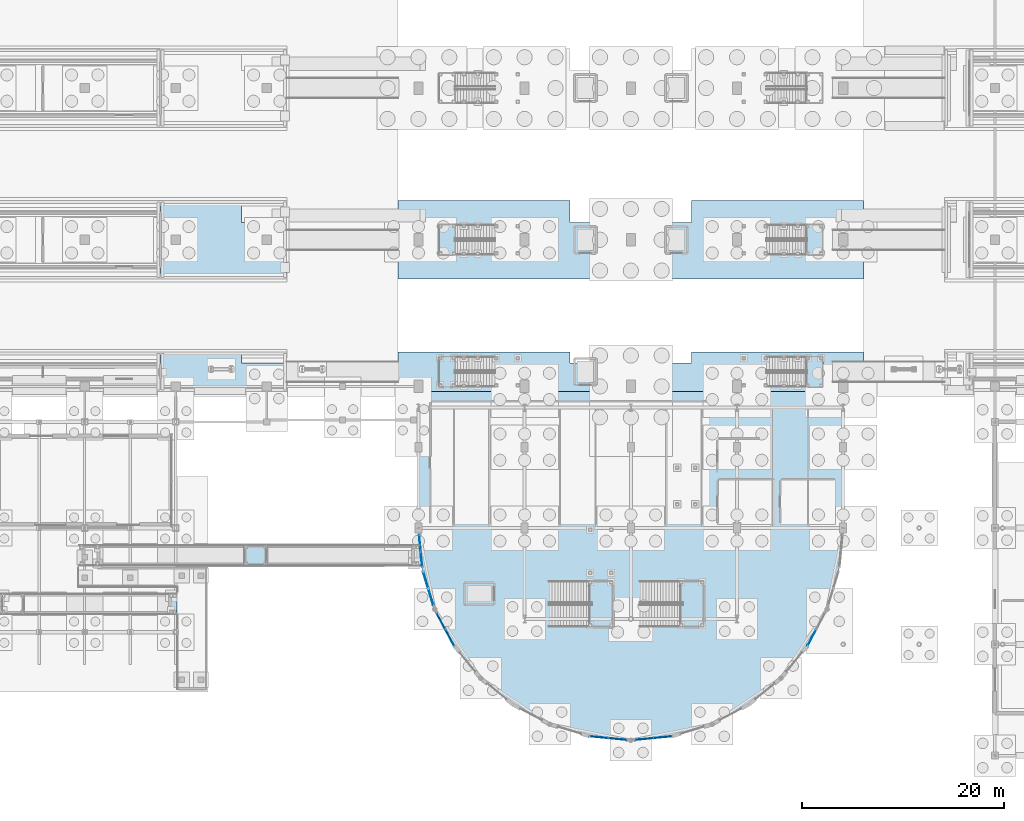
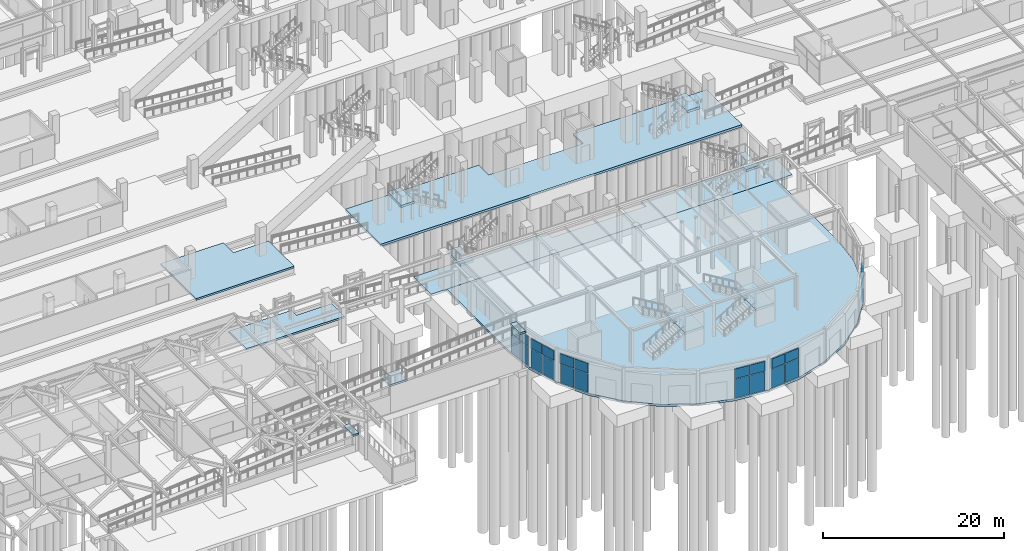
# One storey, part 92 of 160: 22 plates, 14 slabs, 14 elements without a shape of their own.
"""IFC4 building model written with IfcOpenShell, lengths in metres."""

import ifcopenshell
import ifcopenshell.guid

model = None  # the IFC model being written
_history = None  # IfcOwnerHistory: only IFC2X3 demands one
_inside = {}  # id of a spatial element -> (the spatial element, [elements in it])
_under = {}  # id of a project, library or spatial element -> (it, [spatial elements below it])
_declared = {}  # id of a project -> (the project, [libraries it declares])
_typed = {}  # id of a type object -> (the type object, [elements of that type])
_made_of = {}  # id of a material, layer set ... -> (it, [elements and type objects made of it])


def new_model(schema):
    """Start an empty IFC model of exactly this schema.

    Asked for "IFC4X3", IfcOpenShell would pick the latest addendum, in which some entities
    have other attributes; the version numbers below select the first issue.
    IFC2X3 requires an IfcOwnerHistory on every rooted entity: one is made here for all.
    """
    global model, _history
    if schema == "IFC4X3":
        model = ifcopenshell.file(schema_version=(4, 3, 0, 0))
    else:
        model = ifcopenshell.file(schema=schema)
    _inside.clear()
    _under.clear()
    _declared.clear()
    _typed.clear()
    _made_of.clear()
    _history = None
    if model.schema == "IFC2X3":
        org = make("IfcOrganization", Name="unknown")
        user = make(
            "IfcPersonAndOrganization",
            ThePerson=make("IfcPerson", FamilyName="unknown"),
            TheOrganization=org,
        )
        app = make(
            "IfcApplication",
            ApplicationDeveloper=org,
            Version="unknown",
            ApplicationFullName="unknown",
            ApplicationIdentifier="unknown",
        )
        _history = make(
            "IfcOwnerHistory",
            OwningUser=user,
            OwningApplication=app,
            ChangeAction="ADDED",
            CreationDate=0,
        )
    return model


def make(cls, **values):
    """One entity of the class cls with the attributes given. An attribute that is None is left unset."""
    return model.create_entity(
        cls, **{name: value for name, value in values.items() if value is not None}
    )


def rooted(cls, **values):
    """An entity with a GlobalId (a new one), such as an element, a storey or a relation."""
    return make(cls, GlobalId=ifcopenshell.guid.new(), OwnerHistory=_history, **values)


def si_unit(unit_type, name, prefix=None):
    """IfcSIUnit, for example si_unit("LENGTHUNIT", "METRE", prefix="MILLI")."""
    return make("IfcSIUnit", UnitType=unit_type, Prefix=prefix, Name=name)


def assignment(units):
    """IfcUnitAssignment: the units of a project."""
    return None if units is None else make("IfcUnitAssignment", Units=units)


def point(xyz):
    """IfcCartesianPoint."""
    return None if xyz is None else make("IfcCartesianPoint", Coordinates=xyz)


def direction(xyz):
    """IfcDirection."""
    return None if xyz is None else make("IfcDirection", DirectionRatios=xyz)


def frame(location, z_axis=None, x_axis=None):
    """IfcAxis2Placement3D, a coordinate frame: its origin and axes. An axis left out is left unset."""
    return make(
        "IfcAxis2Placement3D",
        Location=point(location),
        Axis=direction(z_axis),
        RefDirection=direction(x_axis),
    )


def frame_2d(location, x_axis=None):
    """IfcAxis2Placement2D, a coordinate frame in the plane: its origin and x axis."""
    return make(
        "IfcAxis2Placement2D", Location=point(location), RefDirection=direction(x_axis)
    )


def origin():
    """The frame at (0, 0, 0) with its axes left unset."""
    return frame((0.0, 0.0, 0.0))


def origin_2d():
    """The frame at (0, 0) in the plane with its x axis left unset."""
    return frame_2d((0.0, 0.0))


def place(relative_to, where):
    """IfcLocalPlacement: puts the frame where relative to a parent placement (None: the world)."""
    return make(
        "IfcLocalPlacement", PlacementRelTo=relative_to, RelativePlacement=where
    )


def context(
    kind, dimensions, precision=None, world=None, true_north=None, identifier=None
):
    """IfcGeometricRepresentationContext, for example the 3D "Model" context."""
    return make(
        "IfcGeometricRepresentationContext",
        ContextIdentifier=identifier,
        ContextType=kind,
        CoordinateSpaceDimension=dimensions,
        Precision=precision,
        WorldCoordinateSystem=world,
        TrueNorth=true_north,
    )


def subcontext(parent, identifier, kind, view, scale=None):
    """IfcGeometricRepresentationSubContext, for example "Body" below "Model"."""
    return make(
        "IfcGeometricRepresentationSubContext",
        ContextIdentifier=identifier,
        ContextType=kind,
        ParentContext=parent,
        TargetScale=scale,
        TargetView=view,
    )


def project(units=None, contexts=None):
    """IfcProject with its units and contexts."""
    return rooted(
        "IfcProject",
        Name="project",
        RepresentationContexts=contexts,
        UnitsInContext=assignment(units),
    )


def spatial(cls, under=None, at=None, **own):
    """A site, building, storey or space (cls), placed at a placement, below another one or the project."""
    s = rooted(cls, ObjectPlacement=at, **own)
    if under is not None:
        _under.setdefault(under.id(), (under, []))[1].append(s)
    return s


def polyline(points):
    """IfcPolyline through the points."""
    return make("IfcPolyline", Points=[point(p) for p in points])


def profile(cls, at=None, kind="AREA", **sizes):
    """A parametric profile (cls). Its sizes go by their IFC names, for example OverallWidth=200.0."""
    return make(cls, ProfileType=kind, Position=at, **sizes)


def rectangle(**sizes):
    """IfcRectangleProfileDef."""
    return profile("IfcRectangleProfileDef", **sizes)


def outline(outer, holes=None, kind="AREA"):
    """IfcArbitraryClosedProfileDef: a profile drawn as a closed curve; with holes, ...WithVoids."""
    if holes is None:
        return make("IfcArbitraryClosedProfileDef", ProfileType=kind, OuterCurve=outer)
    return make(
        "IfcArbitraryProfileDefWithVoids",
        ProfileType=kind,
        OuterCurve=outer,
        InnerCurves=holes,
    )


def extrude(swept, where, along, depth):
    """IfcExtrudedAreaSolid: the profile swept, set in the frame where, extruded along a direction by depth."""
    return make(
        "IfcExtrudedAreaSolid",
        SweptArea=swept,
        Position=where,
        ExtrudedDirection=direction(along),
        Depth=depth,
    )


def shape(context_of_items, identifier, shape_type, items):
    """IfcShapeRepresentation: the items that make up one representation, for example the "Body"."""
    return make(
        "IfcShapeRepresentation",
        ContextOfItems=context_of_items,
        RepresentationIdentifier=identifier,
        RepresentationType=shape_type,
        Items=items,
    )


def material(Name=None, Category=None):
    """IfcMaterial."""
    return make("IfcMaterial", Name=Name, Category=Category)


def layer(
    of_material, thickness, ventilated=None, Name=None, Category=None, Priority=None
):
    """IfcMaterialLayer: one layer of a wall or slab, of a material (None: an air gap)."""
    return make(
        "IfcMaterialLayer",
        Material=of_material,
        LayerThickness=thickness,
        IsVentilated=ventilated,
        Name=Name,
        Category=Category,
        Priority=Priority,
    )


def layer_set(layers, Name=None):
    """IfcMaterialLayerSet."""
    return make("IfcMaterialLayerSet", MaterialLayers=layers, LayerSetName=Name)


def made_of(thing, what):
    """Note that an element or type object is made of a material, layer set ...; save() writes the relation."""
    if what is not None:
        _made_of.setdefault(what.id(), (what, []))[1].append(thing)
    return thing


def type_object(cls, material=None, **own):
    """A type object (cls), such as IfcWallType, which elements share."""
    return made_of(rooted(cls, **own), material)


def element(
    cls,
    number,
    at=None,
    inside=None,
    cuts=None,
    type_object=None,
    material=None,
    context=None,
    identifier="Body",
    shape_type=None,
    held_by="IfcProductDefinitionShape",
    body=None,
    shapes=None,
    **own,
):
    """One element of the class cls, such as IfcWall. Its Tag is "e" and its number.

    at: its placement. inside: the storey or other place that contains it. cuts: it is an
    opening in that element (IfcRelVoidsElement). A single representation is given by context,
    identifier, shape_type and body (its items); several are given by shapes. held_by: the class
    of the entity that holds the representations. save() writes the other relations.
    """
    e = rooted(cls, Tag="e%d" % number, ObjectPlacement=at, **own)
    if body is not None:
        shapes = [shape(context, identifier, shape_type, body)]
    if shapes is not None:
        e.Representation = make(held_by, Representations=shapes)
    if inside is not None:
        _inside.setdefault(inside.id(), (inside, []))[1].append(e)
    if cuts is not None:
        rooted(
            "IfcRelVoidsElement", RelatingBuildingElement=cuts, RelatedOpeningElement=e
        )
    if type_object is not None:
        _typed.setdefault(type_object.id(), (type_object, []))[1].append(e)
    return made_of(e, material)


def aggregate(whole, parts):
    """IfcRelAggregates: a whole, such as a stair, and the parts it consists of."""
    return rooted("IfcRelAggregates", RelatingObject=whole, RelatedObjects=parts)


def save(model, path):
    """Write the relations noted so far, then the file.

    IfcRelAggregates (storeys below a building ...), IfcRelContainedInSpatialStructure (elements
    in a storey), IfcRelDefinesByType, IfcRelAssociatesMaterial and IfcRelDeclares: one each for
    every whole, place, type object, material and project.
    """
    for whole, parts in _under.values():
        aggregate(whole, parts)
    for where, things in _inside.values():
        rooted(
            "IfcRelContainedInSpatialStructure",
            RelatedElements=things,
            RelatingStructure=where,
        )
    for kind, things in _typed.values():
        rooted("IfcRelDefinesByType", RelatedObjects=things, RelatingType=kind)
    for what, things in _made_of.values():
        rooted("IfcRelAssociatesMaterial", RelatedObjects=things, RelatingMaterial=what)
    for by, libraries in _declared.values():
        rooted("IfcRelDeclares", RelatingContext=by, RelatedDefinitions=libraries)
    model.write(path)


model = new_model("IFC4")

# Units and contexts
model_context = context("Model", 3, precision=1e-05, world=origin(), true_north=direction((0.0, 1.0)))
body_context = subcontext(model_context, "Body", "Model", "MODEL_VIEW")
ifc_project = project(units=[si_unit("LENGTHUNIT", "METRE"), si_unit("AREAUNIT", "SQUARE_METRE"), si_unit("VOLUMEUNIT", "CUBIC_METRE"), si_unit("PLANEANGLEUNIT", "RADIAN"), si_unit("MASSUNIT", "GRAM", prefix="KILO")], contexts=[model_context])

# Site, building, storey
site_placement = place(None, origin())
site = spatial("IfcSite", under=ifc_project, at=site_placement, CompositionType="ELEMENT")
building_placement = place(site_placement, origin())
building = spatial("IfcBuilding", under=site, at=building_placement, Name="Marlcrest Central Station", CompositionType="ELEMENT")
storey_placement = place(building_placement, origin())
storey = spatial("IfcBuildingStorey", under=building, at=storey_placement, Name="L00", CompositionType="ELEMENT", Elevation=0.0)

# Slabs
ifc_material_1 = material(Name="Concrete C35/45", Category="concrete")
ifc_layer_1 = layer(ifc_material_1, 0.300048828125, Name="BS-03")
ifc_layer_set_1 = layer_set([ifc_layer_1], Name="Concrete C35/45")
slab_type_1 = type_object("IfcSlabType", Name="BS-03", PredefinedType="BASESLAB", material=ifc_layer_set_1)
slab_1_placement = place(storey_placement, frame((0.0, 0.0, -0.300048828125)))
element("IfcSlab", 1, at=slab_1_placement, inside=storey, type_object=slab_type_1, Name="slab-L00-0029", PredefinedType="BASESLAB", context=body_context, shape_type="SweptSolid", body=[
    extrude(outline(polyline([(85.0, 36.0), (85.0, 39.89990234375), (102.0, 39.89990234375), (102.0, 38.80810546875), (114.0, 38.80810546875), (114.0, 39.89990234375), (131.0, 39.89990234375), (131.0, 36.0), (85.0, 36.0)])), origin(), (0.0, 0.0, 1.0), 0.300048828125),
])
slab_2_placement = place(storey_placement, frame((0.0, 0.0, -0.300048828125)))
element("IfcSlab", 2, at=slab_2_placement, inside=storey, type_object=slab_type_1, Name="slab-L00-0040", PredefinedType="BASESLAB", context=body_context, shape_type="SweptSolid", body=[
    extrude(outline(polyline([(85.0, 47.10009765625), (85.0, 54.89990234375), (102.0, 54.89990234375), (102.0, 52.716064453125), (114.0, 52.716064453125), (114.0, 54.89990234375), (131.0, 54.89990234375), (131.0, 47.10009765625), (85.0, 47.10009765625)])), origin(), (0.0, 0.0, 1.0), 0.300048828125),
])
slab_3_placement = place(storey_placement, frame((0.0, 0.0, -0.300048828125)))
element("IfcSlab", 3, at=slab_3_placement, inside=storey, type_object=slab_type_1, Name="slab-L00-0090", PredefinedType="BASESLAB", context=body_context, shape_type="SweptSolid", body=[
    extrude(outline(polyline([(129.0, 22.5), (128.595947265625, 18.403076171875), (127.40087890625, 14.464111328125), (125.4609375, 10.8330078125), (122.84912109375, 7.65087890625), (119.6669921875, 5.0390625), (116.035888671875, 3.09912109375), (112.096923828125, 1.904052734375), (108.0, 1.5), (103.903076171875, 1.904052734375), (99.964111328125, 3.09912109375), (96.3330078125, 5.0390625), (93.15087890625, 7.65087890625), (90.5390625, 10.8330078125), (88.59912109375, 14.464111328125), (87.404052734375, 18.403076171875), (87.0, 22.5), (87.0, 36.0), (129.0, 36.0), (129.0, 22.5)])), origin(), (0.0, 0.0, 1.0), 0.300048828125),
])

# Curtain wall, plates
ifc_material_2 = material(Name="Anodised aluminium and hurricane laminated glass", Category="aluminium")
ifc_layer_2 = layer(ifc_material_2, 0.219970703125, Name="CW-U1")
ifc_layer_set_2 = layer_set([ifc_layer_2], Name="Anodised aluminium and hurricane laminated glass")
curtain_wall_type = type_object("IfcCurtainWallType", Name="CW-U1", PredefinedType="USERDEFINED", material=ifc_layer_set_2)
curtain_wall_1_placement = place(storey_placement, origin())
curtain_wall_1 = element("IfcCurtainWall", 4, at=curtain_wall_1_placement, inside=storey, type_object=curtain_wall_type, Name="cw-L00-0001", ObjectType="UNITISED_CURTAIN_WALL", PredefinedType="USERDEFINED")
ifc_material_3 = material(Name="Hurricane laminated solar-control glass", Category="glass")
ifc_layer_3 = layer(ifc_material_3, 0.031982421875, Name="CP-01")
ifc_layer_set_3 = layer_set([ifc_layer_3], Name="Hurricane laminated solar-control glass")
plate_type_1 = type_object("IfcPlateType", Name="CP-01", PredefinedType="CURTAIN_PANEL", material=ifc_layer_set_3)
plate_1_placement = place(storey_placement, frame((87.304443359375, 19.41259765625, 0.080078125), z_axis=(0.0, 0.0, 1.0), x_axis=(-0.098138724349, 0.995172744192, 0.0)))
plate_1 = element("IfcPlate", 5, at=plate_1_placement, type_object=plate_type_1, Name="cw-L00-0001-cp-lo-0", PredefinedType="CURTAIN_PANEL", context=body_context, shape_type="SweptSolid", body=[
    extrude(rectangle(XDim=1.54150390625, YDim=0.031982421875, at=origin_2d()), origin(), (0.0, 0.0, 1.0), 2.544921875),
])
plate_2_placement = place(storey_placement, frame((87.145751953125, 21.0224609375, 0.080078125), z_axis=(0.0, 0.0, 1.0), x_axis=(-0.098138724349, 0.995172744192, 0.0)))
plate_2 = element("IfcPlate", 6, at=plate_2_placement, type_object=plate_type_1, Name="cw-L00-0001-cp-lo-1", PredefinedType="CURTAIN_PANEL", context=body_context, shape_type="SweptSolid", body=[
    extrude(rectangle(XDim=1.54150390625, YDim=0.031982421875, at=origin_2d()), origin(), (0.0, 0.0, 1.0), 2.544921875),
])

curtain_wall_2_placement = place(storey_placement, origin())
curtain_wall_2 = element("IfcCurtainWall", 7, at=curtain_wall_2_placement, inside=storey, type_object=curtain_wall_type, Name="cw-L00-0002", ObjectType="UNITISED_CURTAIN_WALL", PredefinedType="USERDEFINED")
plate_3_placement = place(storey_placement, frame((88.227294921875, 15.689453125, 0.080078125), z_axis=(0.0, 0.0, 1.0), x_axis=(-0.290318080597, 0.956930202302, 0.0)))
plate_3 = element("IfcPlate", 8, at=plate_3_placement, type_object=plate_type_1, Name="cw-L00-0002-cp-lo-0", PredefinedType="CURTAIN_PANEL", context=body_context, shape_type="SweptSolid", body=[
    extrude(rectangle(XDim=1.67724609375, YDim=0.031982421875, at=origin_2d()), origin(), (0.0, 0.0, 1.0), 2.544921875),
])
plate_4_placement = place(storey_placement, frame((87.71826171875, 17.3671875, 0.080078125), z_axis=(0.0, 0.0, 1.0), x_axis=(-0.290318080597, 0.956930202302, 0.0)))
plate_4 = element("IfcPlate", 9, at=plate_4_placement, type_object=plate_type_1, Name="cw-L00-0002-cp-lo-1", PredefinedType="CURTAIN_PANEL", context=body_context, shape_type="SweptSolid", body=[
    extrude(rectangle(XDim=1.67724609375, YDim=0.031982421875, at=origin_2d()), origin(), (0.0, 0.0, 1.0), 2.544921875),
])

curtain_wall_3_placement = place(storey_placement, origin())
curtain_wall_3 = element("IfcCurtainWall", 10, at=curtain_wall_3_placement, inside=storey, type_object=curtain_wall_type, Name="cw-L00-0003", ObjectType="UNITISED_CURTAIN_WALL", PredefinedType="USERDEFINED")
plate_5_placement = place(storey_placement, frame((90.09423828125, 11.665283203125, 0.080078125), z_axis=(0.0, 0.0, 1.0), x_axis=(-0.471242805349, 0.882003525167, 0.0)))
plate_5 = element("IfcPlate", 11, at=plate_5_placement, type_object=plate_type_1, Name="cw-L00-0003-cp-lo-0", PredefinedType="CURTAIN_PANEL", context=body_context, shape_type="SweptSolid", body=[
    extrude(rectangle(XDim=1.77001953125, YDim=0.031982421875, at=origin_2d()), origin(), (0.0, 0.0, 1.0), 2.544921875),
])
plate_6_placement = place(storey_placement, frame((89.224365234375, 13.29345703125, 0.080078125), z_axis=(0.0, 0.0, 1.0), x_axis=(-0.471242805349, 0.882003525167, 0.0)))
plate_6 = element("IfcPlate", 12, at=plate_6_placement, type_object=plate_type_1, Name="cw-L00-0003-cp-lo-1", PredefinedType="CURTAIN_PANEL", context=body_context, shape_type="SweptSolid", body=[
    extrude(rectangle(XDim=1.77001953125, YDim=0.031982421875, at=origin_2d()), origin(), (0.0, 0.0, 1.0), 2.544921875),
])

curtain_wall_4_placement = place(storey_placement, origin())
curtain_wall_4 = element("IfcCurtainWall", 13, at=curtain_wall_4_placement, inside=storey, type_object=curtain_wall_type, Name="cw-L00-0004", ObjectType="UNITISED_CURTAIN_WALL", PredefinedType="USERDEFINED")
plate_7_placement = place(storey_placement, frame((106.67919921875, 1.630126953125, 0.080078125), z_axis=(0.0, 0.0, 1.0), x_axis=(-0.995172744192, 0.098138724349, 0.0)))
plate_7 = element("IfcPlate", 14, at=plate_7_placement, type_object=plate_type_1, Name="cw-L00-0004-cp-lo-0", PredefinedType="CURTAIN_PANEL", context=body_context, shape_type="SweptSolid", body=[
    extrude(rectangle(XDim=1.77001953125, YDim=0.031982421875, at=origin_2d()), origin(), (0.0, 0.0, 1.0), 2.544921875),
])
plate_8_placement = place(storey_placement, frame((104.842041015625, 1.811279296875, 0.080078125), z_axis=(0.0, 0.0, 1.0), x_axis=(-0.995172744192, 0.098138724349, 0.0)))
plate_8 = element("IfcPlate", 15, at=plate_8_placement, type_object=plate_type_1, Name="cw-L00-0004-cp-lo-1", PredefinedType="CURTAIN_PANEL", context=body_context, shape_type="SweptSolid", body=[
    extrude(rectangle(XDim=1.77001953125, YDim=0.031982421875, at=origin_2d()), origin(), (0.0, 0.0, 1.0), 2.544921875),
])

curtain_wall_5_placement = place(storey_placement, origin())
curtain_wall_5 = element("IfcCurtainWall", 16, at=curtain_wall_5_placement, inside=storey, type_object=curtain_wall_type, Name="cw-L00-0005", ObjectType="UNITISED_CURTAIN_WALL", PredefinedType="USERDEFINED")
plate_9_placement = place(storey_placement, frame((111.157958984375, 1.811279296875, 0.080078125), z_axis=(0.0, 0.0, 1.0), x_axis=(-0.995172744192, -0.098138724349, 0.0)))
plate_9 = element("IfcPlate", 17, at=plate_9_placement, type_object=plate_type_1, Name="cw-L00-0005-cp-lo-0", PredefinedType="CURTAIN_PANEL", context=body_context, shape_type="SweptSolid", body=[
    extrude(rectangle(XDim=1.77001953125, YDim=0.031982421875, at=origin_2d()), origin(), (0.0, 0.0, 1.0), 2.544921875),
])
plate_10_placement = place(storey_placement, frame((109.32080078125, 1.630126953125, 0.080078125), z_axis=(0.0, 0.0, 1.0), x_axis=(-0.995172744192, -0.098138724349, 0.0)))
plate_10 = element("IfcPlate", 18, at=plate_10_placement, type_object=plate_type_1, Name="cw-L00-0005-cp-lo-1", PredefinedType="CURTAIN_PANEL", context=body_context, shape_type="SweptSolid", body=[
    extrude(rectangle(XDim=1.77001953125, YDim=0.031982421875, at=origin_2d()), origin(), (0.0, 0.0, 1.0), 2.544921875),
])

curtain_wall_6_placement = place(storey_placement, origin())
curtain_wall_6 = element("IfcCurtainWall", 19, at=curtain_wall_6_placement, inside=storey, type_object=curtain_wall_type, Name="cw-L00-0006", ObjectType="UNITISED_CURTAIN_WALL", PredefinedType="USERDEFINED")
plate_11_placement = place(storey_placement, frame((125.90576171875, 11.665283203125, 0.080078125), z_axis=(0.0, 0.0, 1.0), x_axis=(-0.471242805349, -0.882003525167, 0.0)))
plate_11 = element("IfcPlate", 20, at=plate_11_placement, type_object=plate_type_1, Name="cw-L00-0006-cp-lo-1", PredefinedType="CURTAIN_PANEL", context=body_context, shape_type="SweptSolid", body=[
    extrude(rectangle(XDim=1.77001953125, YDim=0.031982421875, at=origin_2d()), origin(), (0.0, 0.0, 1.0), 2.544921875),
])
ifc_material_4 = material(Name="Insulated bronze-anodised aluminium spandrel panel", Category="aluminium")
ifc_layer_4 = layer(ifc_material_4, 0.06005859375, Name="CP-04")
ifc_layer_set_4 = layer_set([ifc_layer_4], Name="Insulated bronze-anodised aluminium spandrel panel")
plate_type_2 = type_object("IfcPlateType", Name="CP-04", PredefinedType="CURTAIN_PANEL", material=ifc_layer_set_4)
plate_12_placement = place(storey_placement, frame((125.90576171875, 11.665283203125, 2.705078125), z_axis=(0.0, 0.0, 1.0), x_axis=(-0.471242805349, -0.882003525167, 0.0)))
plate_12 = element("IfcPlate", 21, at=plate_12_placement, type_object=plate_type_2, Name="cw-L00-0006-cp-hi-1", PredefinedType="CURTAIN_PANEL", context=body_context, shape_type="SweptSolid", body=[
    extrude(rectangle(XDim=1.77001953125, YDim=0.06005859375, at=origin_2d()), origin(), (0.0, 0.0, 1.0), 1.31494140625),
])
aggregate(curtain_wall_6, [plate_11, plate_12])

# Plate
ifc_layer_5 = layer(ifc_material_4, 0.050048828125, Name="CP-05")
ifc_layer_set_5 = layer_set([ifc_layer_5], Name="Insulated bronze-anodised aluminium spandrel panel")
plate_type_3 = type_object("IfcPlateType", Name="CP-05", PredefinedType="CURTAIN_PANEL", material=ifc_layer_set_5)
plate_13_placement = place(storey_placement, frame((87.304443359375, 19.41259765625, 2.705078125), z_axis=(0.0, 0.0, 1.0), x_axis=(-0.098138724349, 0.995172744192, 0.0)))
plate_13 = element("IfcPlate", 22, at=plate_13_placement, type_object=plate_type_3, Name="cw-L00-0001-cp-hi-0", PredefinedType="CURTAIN_PANEL", context=body_context, shape_type="SweptSolid", body=[
    extrude(rectangle(XDim=1.54150390625, YDim=0.050048828125, at=origin_2d()), origin(), (0.0, 0.0, 1.0), 1.31494140625),
])

plate_14_placement = place(storey_placement, frame((87.145751953125, 21.0224609375, 2.705078125), z_axis=(0.0, 0.0, 1.0), x_axis=(-0.098138724349, 0.995172744192, 0.0)))
plate_14 = element("IfcPlate", 23, at=plate_14_placement, type_object=plate_type_3, Name="cw-L00-0001-cp-hi-1", PredefinedType="CURTAIN_PANEL", context=body_context, shape_type="SweptSolid", body=[
    extrude(rectangle(XDim=1.54150390625, YDim=0.050048828125, at=origin_2d()), origin(), (0.0, 0.0, 1.0), 1.31494140625),
])

aggregate(curtain_wall_1, [plate_1, plate_13, plate_2, plate_14])

ifc_material_5 = material(Name="Insulated acoustic spandrel panel")
ifc_layer_6 = layer(ifc_material_5, 0.074951171875, Name="CP-06")
ifc_layer_set_6 = layer_set([ifc_layer_6], Name="Insulated acoustic spandrel panel")
plate_type_4 = type_object("IfcPlateType", Name="CP-06", PredefinedType="CURTAIN_PANEL", material=ifc_layer_set_6)
plate_15_placement = place(storey_placement, frame((88.227294921875, 15.689453125, 2.705078125), z_axis=(0.0, 0.0, 1.0), x_axis=(-0.290318080597, 0.956930202302, 0.0)))
plate_15 = element("IfcPlate", 24, at=plate_15_placement, type_object=plate_type_4, Name="cw-L00-0002-cp-hi-0", PredefinedType="CURTAIN_PANEL", context=body_context, shape_type="SweptSolid", body=[
    extrude(rectangle(XDim=1.67724609375, YDim=0.074951171875, at=origin_2d()), origin(), (0.0, 0.0, 1.0), 1.31494140625),
])

plate_16_placement = place(storey_placement, frame((87.71826171875, 17.3671875, 2.705078125), z_axis=(0.0, 0.0, 1.0), x_axis=(-0.290318080597, 0.956930202302, 0.0)))
plate_16 = element("IfcPlate", 25, at=plate_16_placement, type_object=plate_type_4, Name="cw-L00-0002-cp-hi-1", PredefinedType="CURTAIN_PANEL", context=body_context, shape_type="SweptSolid", body=[
    extrude(rectangle(XDim=1.67724609375, YDim=0.074951171875, at=origin_2d()), origin(), (0.0, 0.0, 1.0), 1.31494140625),
])

aggregate(curtain_wall_2, [plate_3, plate_15, plate_4, plate_16])

ifc_material_6 = material(Name="Insulated hurricane-rated spandrel panel")
ifc_layer_7 = layer(ifc_material_6, 0.090087890625, Name="CP-07")
ifc_layer_set_7 = layer_set([ifc_layer_7], Name="Insulated hurricane-rated spandrel panel")
plate_type_5 = type_object("IfcPlateType", Name="CP-07", PredefinedType="CURTAIN_PANEL", material=ifc_layer_set_7)
plate_17_placement = place(storey_placement, frame((90.09423828125, 11.665283203125, 2.705078125), z_axis=(0.0, 0.0, 1.0), x_axis=(-0.471242805349, 0.882003525167, 0.0)))
plate_17 = element("IfcPlate", 26, at=plate_17_placement, type_object=plate_type_5, Name="cw-L00-0003-cp-hi-0", PredefinedType="CURTAIN_PANEL", context=body_context, shape_type="SweptSolid", body=[
    extrude(rectangle(XDim=1.77001953125, YDim=0.090087890625, at=origin_2d()), origin(), (0.0, 0.0, 1.0), 1.31494140625),
])

plate_18_placement = place(storey_placement, frame((89.224365234375, 13.29345703125, 2.705078125), z_axis=(0.0, 0.0, 1.0), x_axis=(-0.471242805349, 0.882003525167, 0.0)))
plate_18 = element("IfcPlate", 27, at=plate_18_placement, type_object=plate_type_5, Name="cw-L00-0003-cp-hi-1", PredefinedType="CURTAIN_PANEL", context=body_context, shape_type="SweptSolid", body=[
    extrude(rectangle(XDim=1.77001953125, YDim=0.090087890625, at=origin_2d()), origin(), (0.0, 0.0, 1.0), 1.31494140625),
])

aggregate(curtain_wall_3, [plate_5, plate_17, plate_6, plate_18])

ifc_material_7 = material(Name="Insulated shadow-box spandrel panel")
ifc_layer_8 = layer(ifc_material_7, 0.10498046875, Name="CP-08")
ifc_layer_set_8 = layer_set([ifc_layer_8], Name="Insulated shadow-box spandrel panel")
plate_type_6 = type_object("IfcPlateType", Name="CP-08", PredefinedType="CURTAIN_PANEL", material=ifc_layer_set_8)
plate_19_placement = place(storey_placement, frame((106.67919921875, 1.630126953125, 2.705078125), z_axis=(0.0, 0.0, 1.0), x_axis=(-0.995172744192, 0.098138724349, 0.0)))
plate_19 = element("IfcPlate", 28, at=plate_19_placement, type_object=plate_type_6, Name="cw-L00-0004-cp-hi-0", PredefinedType="CURTAIN_PANEL", context=body_context, shape_type="SweptSolid", body=[
    extrude(rectangle(XDim=1.77001953125, YDim=0.10498046875, at=origin_2d()), origin(), (0.0, 0.0, 1.0), 1.31494140625),
])

plate_20_placement = place(storey_placement, frame((104.842041015625, 1.811279296875, 2.705078125), z_axis=(0.0, 0.0, 1.0), x_axis=(-0.995172744192, 0.098138724349, 0.0)))
plate_20 = element("IfcPlate", 29, at=plate_20_placement, type_object=plate_type_6, Name="cw-L00-0004-cp-hi-1", PredefinedType="CURTAIN_PANEL", context=body_context, shape_type="SweptSolid", body=[
    extrude(rectangle(XDim=1.77001953125, YDim=0.10498046875, at=origin_2d()), origin(), (0.0, 0.0, 1.0), 1.31494140625),
])

aggregate(curtain_wall_4, [plate_7, plate_19, plate_8, plate_20])

ifc_material_8 = material(Name="Insulated fire-safing spandrel panel")
ifc_layer_9 = layer(ifc_material_8, 0.1201171875, Name="CP-09")
ifc_layer_set_9 = layer_set([ifc_layer_9], Name="Insulated fire-safing spandrel panel")
plate_type_7 = type_object("IfcPlateType", Name="CP-09", PredefinedType="CURTAIN_PANEL", material=ifc_layer_set_9)
plate_21_placement = place(storey_placement, frame((111.157958984375, 1.811279296875, 2.705078125), z_axis=(0.0, 0.0, 1.0), x_axis=(-0.995172744192, -0.098138724349, 0.0)))
plate_21 = element("IfcPlate", 30, at=plate_21_placement, type_object=plate_type_7, Name="cw-L00-0005-cp-hi-0", PredefinedType="CURTAIN_PANEL", context=body_context, shape_type="SweptSolid", body=[
    extrude(rectangle(XDim=1.77001953125, YDim=0.1201171875, at=origin_2d()), origin(), (0.0, 0.0, 1.0), 1.31494140625),
])

plate_22_placement = place(storey_placement, frame((109.32080078125, 1.630126953125, 2.705078125), z_axis=(0.0, 0.0, 1.0), x_axis=(-0.995172744192, -0.098138724349, 0.0)))
plate_22 = element("IfcPlate", 31, at=plate_22_placement, type_object=plate_type_7, Name="cw-L00-0005-cp-hi-1", PredefinedType="CURTAIN_PANEL", context=body_context, shape_type="SweptSolid", body=[
    extrude(rectangle(XDim=1.77001953125, YDim=0.1201171875, at=origin_2d()), origin(), (0.0, 0.0, 1.0), 1.31494140625),
])

aggregate(curtain_wall_5, [plate_9, plate_21, plate_10, plate_22])

# Stair, slab
stair_type_1 = type_object("IfcStairType", Name="ST-HTP", PredefinedType="HALF_TURN_STAIR", material=ifc_material_1)
stair_1_placement = place(storey_placement, origin())
stair_1 = element("IfcStair", 32, at=stair_1_placement, inside=storey, type_object=stair_type_1, Name="ST-P1W", PredefinedType="HALF_TURN_STAIR")
ifc_layer_10 = layer(ifc_material_1, 0.320068359375, Name="LS-01")
ifc_layer_set_10 = layer_set([ifc_layer_10], Name="Concrete C35/45")
slab_type_2 = type_object("IfcSlabType", Name="LS-01", PredefinedType="LANDING", material=ifc_layer_set_10)
slab_4_placement = place(storey_placement, frame((0.0, 0.0, 2.080078125)))
slab_4 = element("IfcSlab", 33, at=slab_4_placement, type_object=slab_type_2, Name="ST-P1W-L1", PredefinedType="LANDING", context=body_context, shape_type="SweptSolid", body=[
    extrude(outline(polyline([(88.989990234375, 36.419921875), (90.669921875, 36.419921875), (90.669921875, 39.47998046875), (88.989990234375, 39.47998046875), (88.989990234375, 36.419921875)])), origin(), (0.0, 0.0, 1.0), 0.31982421875),
])
aggregate(stair_1, [slab_4])

stair_2_placement = place(storey_placement, origin())
stair_2 = element("IfcStair", 34, at=stair_2_placement, inside=storey, type_object=stair_type_1, Name="ST-P1E", PredefinedType="HALF_TURN_STAIR")
slab_5_placement = place(storey_placement, frame((0.0, 0.0, 2.080078125)))
slab_5 = element("IfcSlab", 35, at=slab_5_placement, type_object=slab_type_2, Name="ST-P1E-L1", PredefinedType="LANDING", context=body_context, shape_type="SweptSolid", body=[
    extrude(outline(polyline([(125.330078125, 36.419921875), (127.010009765625, 36.419921875), (127.010009765625, 39.47998046875), (125.330078125, 39.47998046875), (125.330078125, 36.419921875)])), origin(), (0.0, 0.0, 1.0), 0.31982421875),
])
aggregate(stair_2, [slab_5])

stair_3_placement = place(storey_placement, origin())
stair_3 = element("IfcStair", 36, at=stair_3_placement, inside=storey, type_object=stair_type_1, Name="ST-P2W", PredefinedType="HALF_TURN_STAIR")
slab_6_placement = place(storey_placement, frame((0.0, 0.0, 2.080078125)))
slab_6 = element("IfcSlab", 37, at=slab_6_placement, type_object=slab_type_2, Name="ST-P2W-L1", PredefinedType="LANDING", context=body_context, shape_type="SweptSolid", body=[
    extrude(outline(polyline([(88.989990234375, 49.469970703125), (90.669921875, 49.469970703125), (90.669921875, 52.530029296875), (88.989990234375, 52.530029296875), (88.989990234375, 49.469970703125)])), origin(), (0.0, 0.0, 1.0), 0.31982421875),
])
aggregate(stair_3, [slab_6])

stair_4_placement = place(storey_placement, origin())
stair_4 = element("IfcStair", 38, at=stair_4_placement, inside=storey, type_object=stair_type_1, Name="ST-P2E", PredefinedType="HALF_TURN_STAIR")
slab_7_placement = place(storey_placement, frame((0.0, 0.0, 2.080078125)))
slab_7 = element("IfcSlab", 39, at=slab_7_placement, type_object=slab_type_2, Name="ST-P2E-L1", PredefinedType="LANDING", context=body_context, shape_type="SweptSolid", body=[
    extrude(outline(polyline([(125.330078125, 49.469970703125), (127.010009765625, 49.469970703125), (127.010009765625, 52.530029296875), (125.330078125, 52.530029296875), (125.330078125, 49.469970703125)])), origin(), (0.0, 0.0, 1.0), 0.31982421875),
])
aggregate(stair_4, [slab_7])

stair_type_2 = type_object("IfcStairType", Name="ST-HTW", PredefinedType="HALF_TURN_STAIR", material=ifc_material_1)
stair_5_placement = place(storey_placement, origin())
stair_5 = element("IfcStair", 40, at=stair_5_placement, inside=storey, type_object=stair_type_2, Name="ST-S01", PredefinedType="HALF_TURN_STAIR")
slab_8_placement = place(storey_placement, frame((0.0, 0.0, 2.080078125)))
slab_8 = element("IfcSlab", 41, at=slab_8_placement, type_object=slab_type_2, Name="ST-S01-L1", PredefinedType="LANDING", context=body_context, shape_type="SweptSolid", body=[
    extrude(outline(polyline([(103.830078125, 12.719970703125), (106.22998046875, 12.719970703125), (106.22998046875, 17.280029296875), (103.830078125, 17.280029296875), (103.830078125, 15.06005859375), (104.080078125, 15.06005859375), (104.080078125, 14.93994140625), (103.830078125, 14.93994140625), (103.830078125, 12.719970703125)])), origin(), (0.0, 0.0, 1.0), 0.31982421875),
])
aggregate(stair_5, [slab_8])

stair_6_placement = place(storey_placement, origin())
stair_6 = element("IfcStair", 42, at=stair_6_placement, inside=storey, type_object=stair_type_2, Name="ST-S02", PredefinedType="HALF_TURN_STAIR")
slab_9_placement = place(storey_placement, frame((0.0, 0.0, 2.080078125)))
slab_9 = element("IfcSlab", 43, at=slab_9_placement, type_object=slab_type_2, Name="ST-S02-L1", PredefinedType="LANDING", context=body_context, shape_type="SweptSolid", body=[
    extrude(outline(polyline([(112.830078125, 12.719970703125), (115.22998046875, 12.719970703125), (115.22998046875, 17.280029296875), (112.830078125, 17.280029296875), (112.830078125, 15.06005859375), (113.080078125, 15.06005859375), (113.080078125, 14.93994140625), (112.830078125, 14.93994140625), (112.830078125, 12.719970703125)])), origin(), (0.0, 0.0, 1.0), 0.31982421875),
])
aggregate(stair_6, [slab_9])

# Ramp, slab
ramp_type = type_object("IfcRampType", Name="RP-01", PredefinedType="STRAIGHT_RUN_RAMP", material=ifc_material_1)
ramp_1_placement = place(storey_placement, origin())
ramp_1 = element("IfcRamp", 44, at=ramp_1_placement, inside=storey, type_object=ramp_type, Name="RMP-01", PredefinedType="STRAIGHT_RUN_RAMP")
ifc_layer_11 = layer(ifc_material_1, 0.25, Name="LS-02")
ifc_layer_set_11 = layer_set([ifc_layer_11], Name="Concrete C35/45")
slab_type_3 = type_object("IfcSlabType", Name="LS-02", PredefinedType="LANDING", material=ifc_layer_set_11)
slab_10_placement = place(storey_placement, frame((0.0, 0.0, 2.14990234375)))
slab_10 = element("IfcSlab", 45, at=slab_10_placement, type_object=slab_type_3, Name="ramp-01-ld-3", PredefinedType="LANDING", context=body_context, shape_type="SweptSolid", body=[
    extrude(outline(polyline([(62.35009765625, 13.949951171875), (63.10009765625, 13.949951171875), (63.10009765625, 16.050048828125), (62.35009765625, 16.050048828125), (62.35009765625, 13.949951171875)])), origin(), (0.0, 0.0, 1.0), 0.25),
])
aggregate(ramp_1, [slab_10])

# Ramp, slabs
ramp_2_placement = place(storey_placement, origin())
ramp_2 = element("IfcRamp", 46, at=ramp_2_placement, inside=storey, type_object=ramp_type, Name="RMP-02", PredefinedType="STRAIGHT_RUN_RAMP")
slab_11_placement = place(storey_placement, frame((0.0, 0.0, 3.35009765625)))
slab_11 = element("IfcSlab", 47, at=slab_11_placement, type_object=slab_type_3, Name="ramp-02-ld-2", PredefinedType="LANDING", context=body_context, shape_type="SweptSolid", body=[
    extrude(outline(polyline([(69.75, 18.75), (72.050048828125, 18.75), (72.050048828125, 20.85009765625), (69.75, 20.85009765625), (69.75, 18.75)])), origin(), (0.0, 0.0, 1.0), 0.25),
])
slab_12_placement = place(storey_placement, frame((0.0, 0.0, 4.550048828125)))
slab_12 = element("IfcSlab", 48, at=slab_12_placement, type_object=slab_type_3, Name="ramp-02-ld-3", PredefinedType="LANDING", context=body_context, shape_type="SweptSolid", body=[
    extrude(outline(polyline([(86.35009765625, 18.75), (87.10009765625, 18.75), (87.10009765625, 20.85009765625), (86.35009765625, 20.85009765625), (86.35009765625, 18.75)])), origin(), (0.0, 0.0, 1.0), 0.25),
])
aggregate(ramp_2, [slab_11, slab_12])

# Slabs
ifc_layer_12 = layer(ifc_material_1, 0.25, Name="PS-01")
ifc_layer_set_12 = layer_set([ifc_layer_12], Name="Concrete C35/45")
slab_type_4 = type_object("IfcSlabType", Name="PS-01", PredefinedType="FLOOR", material=ifc_layer_set_12)
slab_13_placement = place(storey_placement, frame((0.0, 0.0, 0.6650390625)))
element("IfcSlab", 49, at=slab_13_placement, inside=storey, type_object=slab_type_4, Name="slab-L00-0034", PredefinedType="FLOOR", context=body_context, shape_type="SweptSolid", body=[
    extrude(outline(polyline([(69.5, 39.89990234375), (69.5, 38.80810546875), (74.0, 38.80810546875), (74.0, 36.0), (61.5, 36.0), (61.5, 39.89990234375), (69.5, 39.89990234375)])), origin(), (0.0, 0.0, 1.0), 0.25),
])
slab_14_placement = place(storey_placement, frame((0.0, 0.0, 0.6650390625)))
element("IfcSlab", 50, at=slab_14_placement, inside=storey, type_object=slab_type_4, Name="slab-L00-0045", PredefinedType="FLOOR", context=body_context, shape_type="SweptSolid", body=[
    extrude(outline(polyline([(69.5, 54.89990234375), (69.5, 52.716064453125), (74.0, 52.716064453125), (74.0, 47.10009765625), (61.5, 47.10009765625), (61.5, 54.89990234375), (69.5, 54.89990234375)])), origin(), (0.0, 0.0, 1.0), 0.25),
])

save(model, "model.ifc")
